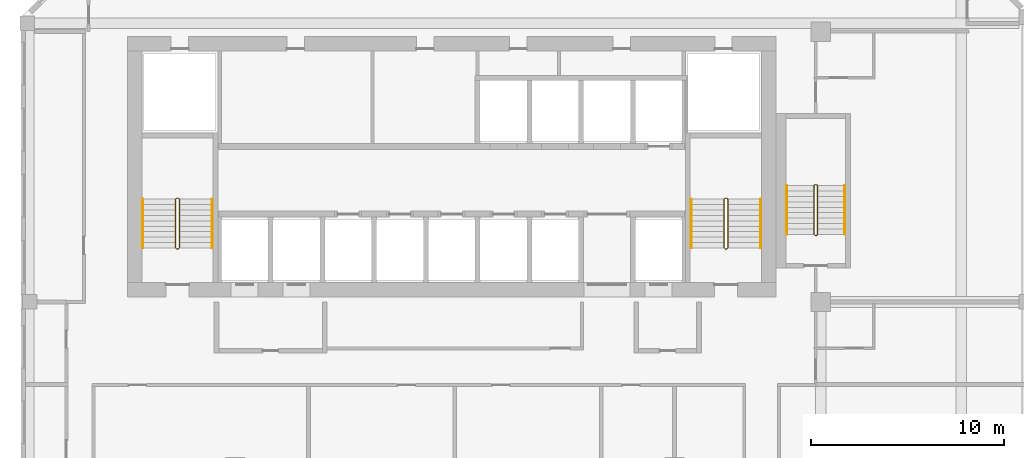
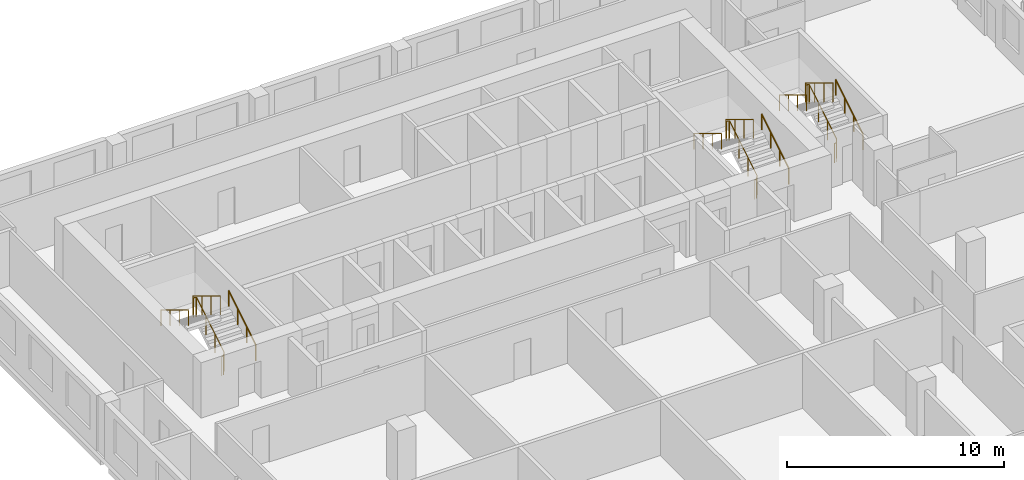
# One storey, part 20 of 21: 9 railings.
"""IFC4 building model written with IfcOpenShell, lengths in metres."""

from ifc_helpers import new_model, si_unit, direction, frame, origin, origin_2d, place, context, subcontext, project, spatial, circle, extrude, material, type_object, element, save


model = new_model("IFC4")

# Units and contexts
model_context = context("Model", 3, precision=1e-05, world=origin(), true_north=direction((0.0, 1.0)))
body_context = subcontext(model_context, "Body", "Model", "MODEL_VIEW")
ifc_project = project(units=[si_unit("LENGTHUNIT", "METRE"), si_unit("AREAUNIT", "SQUARE_METRE"), si_unit("VOLUMEUNIT", "CUBIC_METRE"), si_unit("PLANEANGLEUNIT", "RADIAN"), si_unit("MASSUNIT", "GRAM", prefix="KILO")], contexts=[model_context])

# Site, building, storey
site_placement = place(None, origin())
site = spatial("IfcSite", under=ifc_project, at=site_placement, CompositionType="ELEMENT")
building_placement = place(site_placement, origin())
building = spatial("IfcBuilding", under=site, at=building_placement, Name="Kilnfold Tower and Market Hall", CompositionType="ELEMENT")
storey_placement = place(building_placement, frame((0.0, 0.0, 210.10009765625)))
storey = spatial("IfcBuildingStorey", under=building, at=storey_placement, Name="L51", CompositionType="ELEMENT", Elevation=210.10009765625)

# Railings
ifc_material_1 = material(Name="Stainless steel 316", Category="steel")
railing_type_1 = type_object("IfcRailingType", Name="CORE STAIR GUARD 1100", PredefinedType="GUARDRAIL", material=ifc_material_1)
railing_1_placement = place(storey_placement, frame((-13.199951171875, 10.75, 0.0)))
element("IfcRailing", 1, at=railing_1_placement, inside=storey, type_object=railing_type_1, Name="L51 ST1 stair guard 1", PredefinedType="GUARDRAIL", context=body_context, shape_type="SweptSolid", body=[
    extrude(circle(Radius=0.02392578125, at=origin_2d()), frame((0.0, 0.0, 1.076171875), z_axis=(1.0, 0.0, 0.0), x_axis=(0.0, 1.0, 0.0)), (0.0, 0.0, 1.0), 0.099853515625),
    extrude(circle(Radius=0.02392578125, at=origin_2d()), frame((0.099853515625, 0.0, 1.076171875), z_axis=(0.271895245746, 0.271895245746, 0.923117517265), x_axis=(-0.707106781187, 0.707106781187, 0.0)), (0.0, 0.0, 1.0), 0.18408203125),
    extrude(circle(Radius=0.02392578125, at=origin_2d()), frame((0.14990234375, 0.050048828125, 1.24609375), z_axis=(0.0, 0.85478489116, 0.518982456201), x_axis=(-1.0, 0.0, 0.0)), (0.0, 0.0, 1.0), 2.9482421875),
    extrude(circle(Radius=0.02392578125, at=origin_2d()), frame((0.14990234375, 2.570068359375, 2.77587890625), z_axis=(-0.707106781187, 0.707106781187, 0.0), x_axis=(-0.707106781187, -0.707106781187, 0.0)), (0.0, 0.0, 1.0), 0.07080078125),
    extrude(circle(Radius=0.02392578125, at=origin_2d()), frame((0.099853515625, 2.6201171875, 2.77587890625), z_axis=(-1.0, 0.0, 0.0), x_axis=(0.0, -1.0, 0.0)), (0.0, 0.0, 1.0), 0.099853515625),
    extrude(circle(Radius=0.02392578125, at=origin_2d()), frame((0.0, 2.6201171875, 2.77587890625), z_axis=(-0.271895245746, -0.271895245746, 0.923117517265), x_axis=(0.707106781187, -0.707106781187, 0.0)), (0.0, 0.0, 1.0), 0.18408203125),
    extrude(circle(Radius=0.02392578125, at=origin_2d()), frame((-0.050048828125, 2.570068359375, 2.94580078125), z_axis=(0.0, -0.85478489116, 0.518982456201), x_axis=(1.0, 0.0, 0.0)), (0.0, 0.0, 1.0), 2.9482421875),
    extrude(circle(Radius=0.02099609375, at=origin_2d()), origin(), (0.0, 0.0, 1.0), 1.052001953125),
    extrude(circle(Radius=0.02099609375, at=origin_2d()), frame((0.099853515625, 0.0, 0.0)), (0.0, 0.0, 1.0), 1.052001953125),
    extrude(circle(Radius=0.02099609375, at=origin_2d()), frame((0.14990234375, 0.050048828125, 0.169921875)), (0.0, 0.0, 1.0), 1.052001953125),
    extrude(circle(Radius=0.02099609375, at=origin_2d()), frame((0.14990234375, 0.89013671875, 0.679931640625)), (0.0, 0.0, 1.0), 1.052001953125),
    extrude(circle(Radius=0.02099609375, at=origin_2d()), frame((0.14990234375, 1.72998046875, 1.18994140625)), (0.0, 0.0, 1.0), 1.052001953125),
    extrude(circle(Radius=0.02099609375, at=origin_2d()), frame((0.14990234375, 2.570068359375, 1.699951171875)), (0.0, 0.0, 1.0), 1.052001953125),
    extrude(circle(Radius=0.02099609375, at=origin_2d()), frame((0.099853515625, 2.6201171875, 1.699951171875)), (0.0, 0.0, 1.0), 1.052001953125),
    extrude(circle(Radius=0.02099609375, at=origin_2d()), frame((0.0, 2.6201171875, 1.699951171875)), (0.0, 0.0, 1.0), 1.052001953125),
    extrude(circle(Radius=0.02099609375, at=origin_2d()), frame((-0.050048828125, 2.570068359375, 1.869873046875)), (0.0, 0.0, 1.0), 1.052001953125),
    extrude(circle(Radius=0.02099609375, at=origin_2d()), frame((-0.050048828125, 1.72998046875, 2.3798828125)), (0.0, 0.0, 1.0), 1.052001953125),
    extrude(circle(Radius=0.02099609375, at=origin_2d()), frame((-0.050048828125, 0.89013671875, 2.889892578125)), (0.0, 0.0, 1.0), 1.052001953125),
    extrude(circle(Radius=0.02099609375, at=origin_2d()), frame((-0.050048828125, 0.050048828125, 3.39990234375)), (0.0, 0.0, 1.0), 1.052001953125),
])
railing_2_placement = place(storey_placement, frame((15.199951171875, 10.75, 0.0)))
element("IfcRailing", 2, at=railing_2_placement, inside=storey, type_object=railing_type_1, Name="L51 ST2 stair guard 1", PredefinedType="GUARDRAIL", context=body_context, shape_type="SweptSolid", body=[
    extrude(circle(Radius=0.02392578125, at=origin_2d()), frame((0.0, 0.0, 1.076171875), z_axis=(1.0, 0.0, 0.0), x_axis=(0.0, 1.0, 0.0)), (0.0, 0.0, 1.0), 0.10009765625),
    extrude(circle(Radius=0.02392578125, at=origin_2d()), frame((0.10009765625, 0.0, 1.076171875), z_axis=(0.271895245746, 0.271895245746, 0.923117517265), x_axis=(-0.707106781187, 0.707106781187, 0.0)), (0.0, 0.0, 1.0), 0.18408203125),
    extrude(circle(Radius=0.02392578125, at=origin_2d()), frame((0.150146484375, 0.050048828125, 1.24609375), z_axis=(0.0, 0.85478489116, 0.518982456201), x_axis=(-1.0, 0.0, 0.0)), (0.0, 0.0, 1.0), 2.9482421875),
    extrude(circle(Radius=0.02392578125, at=origin_2d()), frame((0.150146484375, 2.570068359375, 2.77587890625), z_axis=(-0.707106781187, 0.707106781187, 0.0), x_axis=(-0.707106781187, -0.707106781187, 0.0)), (0.0, 0.0, 1.0), 0.07080078125),
    extrude(circle(Radius=0.02392578125, at=origin_2d()), frame((0.10009765625, 2.6201171875, 2.77587890625), z_axis=(-1.0, 0.0, 0.0), x_axis=(0.0, -1.0, 0.0)), (0.0, 0.0, 1.0), 0.10009765625),
    extrude(circle(Radius=0.02392578125, at=origin_2d()), frame((0.0, 2.6201171875, 2.77587890625), z_axis=(-0.271895245746, -0.271895245746, 0.923117517265), x_axis=(0.707106781187, -0.707106781187, 0.0)), (0.0, 0.0, 1.0), 0.18408203125),
    extrude(circle(Radius=0.02392578125, at=origin_2d()), frame((-0.050048828125, 2.570068359375, 2.94580078125), z_axis=(0.0, -0.85478489116, 0.518982456201), x_axis=(1.0, 0.0, 0.0)), (0.0, 0.0, 1.0), 2.9482421875),
    extrude(circle(Radius=0.02099609375, at=origin_2d()), origin(), (0.0, 0.0, 1.0), 1.052001953125),
    extrude(circle(Radius=0.02099609375, at=origin_2d()), frame((0.10009765625, 0.0, 0.0)), (0.0, 0.0, 1.0), 1.052001953125),
    extrude(circle(Radius=0.02099609375, at=origin_2d()), frame((0.150146484375, 0.050048828125, 0.169921875)), (0.0, 0.0, 1.0), 1.052001953125),
    extrude(circle(Radius=0.02099609375, at=origin_2d()), frame((0.150146484375, 0.89013671875, 0.679931640625)), (0.0, 0.0, 1.0), 1.052001953125),
    extrude(circle(Radius=0.02099609375, at=origin_2d()), frame((0.150146484375, 1.72998046875, 1.18994140625)), (0.0, 0.0, 1.0), 1.052001953125),
    extrude(circle(Radius=0.02099609375, at=origin_2d()), frame((0.150146484375, 2.570068359375, 1.699951171875)), (0.0, 0.0, 1.0), 1.052001953125),
    extrude(circle(Radius=0.02099609375, at=origin_2d()), frame((0.10009765625, 2.6201171875, 1.699951171875)), (0.0, 0.0, 1.0), 1.052001953125),
    extrude(circle(Radius=0.02099609375, at=origin_2d()), frame((0.0, 2.6201171875, 1.699951171875)), (0.0, 0.0, 1.0), 1.052001953125),
    extrude(circle(Radius=0.02099609375, at=origin_2d()), frame((-0.050048828125, 2.570068359375, 1.869873046875)), (0.0, 0.0, 1.0), 1.052001953125),
    extrude(circle(Radius=0.02099609375, at=origin_2d()), frame((-0.050048828125, 1.72998046875, 2.3798828125)), (0.0, 0.0, 1.0), 1.052001953125),
    extrude(circle(Radius=0.02099609375, at=origin_2d()), frame((-0.050048828125, 0.89013671875, 2.889892578125)), (0.0, 0.0, 1.0), 1.052001953125),
    extrude(circle(Radius=0.02099609375, at=origin_2d()), frame((-0.050048828125, 0.050048828125, 3.39990234375)), (0.0, 0.0, 1.0), 1.052001953125),
])
railing_3_placement = place(storey_placement, frame((19.85009765625, 11.449951171875, 0.0)))
element("IfcRailing", 3, at=railing_3_placement, inside=storey, type_object=railing_type_1, Name="L51 ST5 stair guard 1", PredefinedType="GUARDRAIL", context=body_context, shape_type="SweptSolid", body=[
    extrude(circle(Radius=0.02392578125, at=origin_2d()), frame((0.0, 0.0, 1.076171875), z_axis=(1.0, 0.0, 0.0), x_axis=(0.0, 1.0, 0.0)), (0.0, 0.0, 1.0), 0.099853515625),
    extrude(circle(Radius=0.02392578125, at=origin_2d()), frame((0.099853515625, 0.0, 1.076171875), z_axis=(0.271895245746, 0.271895245746, 0.923117517265), x_axis=(-0.707106781187, 0.707106781187, 0.0)), (0.0, 0.0, 1.0), 0.18408203125),
    extrude(circle(Radius=0.02392578125, at=origin_2d()), frame((0.14990234375, 0.050048828125, 1.24609375), z_axis=(0.0, 0.85478489116, 0.518982456201), x_axis=(-1.0, 0.0, 0.0)), (0.0, 0.0, 1.0), 2.9482421875),
    extrude(circle(Radius=0.02392578125, at=origin_2d()), frame((0.14990234375, 2.570068359375, 2.77587890625), z_axis=(-0.707106781187, 0.707106781187, 0.0), x_axis=(-0.707106781187, -0.707106781187, 0.0)), (0.0, 0.0, 1.0), 0.07080078125),
    extrude(circle(Radius=0.02392578125, at=origin_2d()), frame((0.099853515625, 2.6201171875, 2.77587890625), z_axis=(-1.0, 0.0, 0.0), x_axis=(0.0, -1.0, 0.0)), (0.0, 0.0, 1.0), 0.099853515625),
    extrude(circle(Radius=0.02392578125, at=origin_2d()), frame((0.0, 2.6201171875, 2.77587890625), z_axis=(-0.271895245746, -0.271895245746, 0.923117517265), x_axis=(0.707106781187, -0.707106781187, 0.0)), (0.0, 0.0, 1.0), 0.18408203125),
    extrude(circle(Radius=0.02392578125, at=origin_2d()), frame((-0.050048828125, 2.570068359375, 2.94580078125), z_axis=(0.0, -0.85478489116, 0.518982456201), x_axis=(1.0, 0.0, 0.0)), (0.0, 0.0, 1.0), 2.9482421875),
    extrude(circle(Radius=0.02099609375, at=origin_2d()), origin(), (0.0, 0.0, 1.0), 1.052001953125),
    extrude(circle(Radius=0.02099609375, at=origin_2d()), frame((0.099853515625, 0.0, 0.0)), (0.0, 0.0, 1.0), 1.052001953125),
    extrude(circle(Radius=0.02099609375, at=origin_2d()), frame((0.14990234375, 0.050048828125, 0.169921875)), (0.0, 0.0, 1.0), 1.052001953125),
    extrude(circle(Radius=0.02099609375, at=origin_2d()), frame((0.14990234375, 0.89013671875, 0.679931640625)), (0.0, 0.0, 1.0), 1.052001953125),
    extrude(circle(Radius=0.02099609375, at=origin_2d()), frame((0.14990234375, 1.72998046875, 1.18994140625)), (0.0, 0.0, 1.0), 1.052001953125),
    extrude(circle(Radius=0.02099609375, at=origin_2d()), frame((0.14990234375, 2.570068359375, 1.699951171875)), (0.0, 0.0, 1.0), 1.052001953125),
    extrude(circle(Radius=0.02099609375, at=origin_2d()), frame((0.099853515625, 2.6201171875, 1.699951171875)), (0.0, 0.0, 1.0), 1.052001953125),
    extrude(circle(Radius=0.02099609375, at=origin_2d()), frame((0.0, 2.6201171875, 1.699951171875)), (0.0, 0.0, 1.0), 1.052001953125),
    extrude(circle(Radius=0.02099609375, at=origin_2d()), frame((-0.050048828125, 2.570068359375, 1.869873046875)), (0.0, 0.0, 1.0), 1.052001953125),
    extrude(circle(Radius=0.02099609375, at=origin_2d()), frame((-0.050048828125, 1.72998046875, 2.3798828125)), (0.0, 0.0, 1.0), 1.052001953125),
    extrude(circle(Radius=0.02099609375, at=origin_2d()), frame((-0.050048828125, 0.89013671875, 2.889892578125)), (0.0, 0.0, 1.0), 1.052001953125),
    extrude(circle(Radius=0.02099609375, at=origin_2d()), frame((-0.050048828125, 0.050048828125, 3.39990234375)), (0.0, 0.0, 1.0), 1.052001953125),
])
ifc_material_2 = material(Name="Stainless steel 316", Category="steel")
railing_type_2 = type_object("IfcRailingType", Name="CORE STAIR HANDRAIL 900", PredefinedType="HANDRAIL", material=ifc_material_2)
railing_4_placement = place(storey_placement, frame((-11.35009765625, 10.800048828125, 0.169921875)))
element("IfcRailing", 4, at=railing_4_placement, inside=storey, type_object=railing_type_2, Name="L51 ST1 stair handrail 1", PredefinedType="HANDRAIL", context=body_context, shape_type="SweptSolid", body=[
    extrude(circle(Radius=0.02392578125, at=origin_2d()), frame((0.0, 0.0, 0.8759765625), z_axis=(0.0, 0.85478489116, 0.518982456201), x_axis=(-1.0, 0.0, 0.0)), (0.0, 0.0, 1.0), 2.9482421875),
    extrude(circle(Radius=0.02099609375, at=origin_2d()), origin(), (0.0, 0.0, 1.0), 0.851806640625),
    extrude(circle(Radius=0.02099609375, at=origin_2d()), frame((0.0, 0.840087890625, 0.510009765625)), (0.0, 0.0, 1.0), 0.851806640625),
    extrude(circle(Radius=0.02099609375, at=origin_2d()), frame((0.0, 1.679931640625, 1.02001953125)), (0.0, 0.0, 1.0), 0.851806640625),
    extrude(circle(Radius=0.02099609375, at=origin_2d()), frame((0.0, 2.52001953125, 1.530029296875)), (0.0, 0.0, 1.0), 0.851806640625),
])
railing_5_placement = place(storey_placement, frame((-14.949951171875, 13.320068359375, 1.869873046875)))
element("IfcRailing", 5, at=railing_5_placement, inside=storey, type_object=railing_type_2, Name="L51 ST1 stair handrail 2", PredefinedType="HANDRAIL", context=body_context, shape_type="SweptSolid", body=[
    extrude(circle(Radius=0.02392578125, at=origin_2d()), frame((0.0, 0.0, 0.8759765625), z_axis=(0.0, -0.85478489116, 0.518982456201), x_axis=(1.0, 0.0, 0.0)), (0.0, 0.0, 1.0), 2.9482421875),
    extrude(circle(Radius=0.02099609375, at=origin_2d()), origin(), (0.0, 0.0, 1.0), 0.851806640625),
    extrude(circle(Radius=0.02099609375, at=origin_2d()), frame((0.0, -0.840087890625, 0.510009765625)), (0.0, 0.0, 1.0), 0.851806640625),
    extrude(circle(Radius=0.02099609375, at=origin_2d()), frame((0.0, -1.679931640625, 1.02001953125)), (0.0, 0.0, 1.0), 0.851806640625),
    extrude(circle(Radius=0.02099609375, at=origin_2d()), frame((0.0, -2.52001953125, 1.530029296875)), (0.0, 0.0, 1.0), 0.851806640625),
])
railing_6_placement = place(storey_placement, frame((17.050048828125, 10.800048828125, 0.169921875)))
element("IfcRailing", 6, at=railing_6_placement, inside=storey, type_object=railing_type_2, Name="L51 ST2 stair handrail 1", PredefinedType="HANDRAIL", context=body_context, shape_type="SweptSolid", body=[
    extrude(circle(Radius=0.02392578125, at=origin_2d()), frame((0.0, 0.0, 0.8759765625), z_axis=(0.0, 0.85478489116, 0.518982456201), x_axis=(-1.0, 0.0, 0.0)), (0.0, 0.0, 1.0), 2.9482421875),
    extrude(circle(Radius=0.02099609375, at=origin_2d()), origin(), (0.0, 0.0, 1.0), 0.851806640625),
    extrude(circle(Radius=0.02099609375, at=origin_2d()), frame((0.0, 0.840087890625, 0.510009765625)), (0.0, 0.0, 1.0), 0.851806640625),
    extrude(circle(Radius=0.02099609375, at=origin_2d()), frame((0.0, 1.679931640625, 1.02001953125)), (0.0, 0.0, 1.0), 0.851806640625),
    extrude(circle(Radius=0.02099609375, at=origin_2d()), frame((0.0, 2.52001953125, 1.530029296875)), (0.0, 0.0, 1.0), 0.851806640625),
])
railing_7_placement = place(storey_placement, frame((13.449951171875, 13.320068359375, 1.869873046875)))
element("IfcRailing", 7, at=railing_7_placement, inside=storey, type_object=railing_type_2, Name="L51 ST2 stair handrail 2", PredefinedType="HANDRAIL", context=body_context, shape_type="SweptSolid", body=[
    extrude(circle(Radius=0.02392578125, at=origin_2d()), frame((0.0, 0.0, 0.8759765625), z_axis=(0.0, -0.85478489116, 0.518982456201), x_axis=(1.0, 0.0, 0.0)), (0.0, 0.0, 1.0), 2.9482421875),
    extrude(circle(Radius=0.02099609375, at=origin_2d()), origin(), (0.0, 0.0, 1.0), 0.851806640625),
    extrude(circle(Radius=0.02099609375, at=origin_2d()), frame((0.0, -0.840087890625, 0.510009765625)), (0.0, 0.0, 1.0), 0.851806640625),
    extrude(circle(Radius=0.02099609375, at=origin_2d()), frame((0.0, -1.679931640625, 1.02001953125)), (0.0, 0.0, 1.0), 0.851806640625),
    extrude(circle(Radius=0.02099609375, at=origin_2d()), frame((0.0, -2.52001953125, 1.530029296875)), (0.0, 0.0, 1.0), 0.851806640625),
])
railing_8_placement = place(storey_placement, frame((21.39990234375, 11.5, 0.169921875)))
element("IfcRailing", 8, at=railing_8_placement, inside=storey, type_object=railing_type_2, Name="L51 ST5 stair handrail 1", PredefinedType="HANDRAIL", context=body_context, shape_type="SweptSolid", body=[
    extrude(circle(Radius=0.02392578125, at=origin_2d()), frame((0.0, 0.0, 0.8759765625), z_axis=(0.0, 0.85478489116, 0.518982456201), x_axis=(-1.0, 0.0, 0.0)), (0.0, 0.0, 1.0), 2.9482421875),
    extrude(circle(Radius=0.02099609375, at=origin_2d()), origin(), (0.0, 0.0, 1.0), 0.851806640625),
    extrude(circle(Radius=0.02099609375, at=origin_2d()), frame((0.0, 0.840087890625, 0.510009765625)), (0.0, 0.0, 1.0), 0.851806640625),
    extrude(circle(Radius=0.02099609375, at=origin_2d()), frame((0.0, 1.679931640625, 1.02001953125)), (0.0, 0.0, 1.0), 0.851806640625),
    extrude(circle(Radius=0.02099609375, at=origin_2d()), frame((0.0, 2.52001953125, 1.530029296875)), (0.0, 0.0, 1.0), 0.851806640625),
])
railing_9_placement = place(storey_placement, frame((18.39990234375, 14.02001953125, 1.869873046875)))
element("IfcRailing", 9, at=railing_9_placement, inside=storey, type_object=railing_type_2, Name="L51 ST5 stair handrail 2", PredefinedType="HANDRAIL", context=body_context, shape_type="SweptSolid", body=[
    extrude(circle(Radius=0.02392578125, at=origin_2d()), frame((0.0, 0.0, 0.8759765625), z_axis=(0.0, -0.85478489116, 0.518982456201), x_axis=(1.0, 0.0, 0.0)), (0.0, 0.0, 1.0), 2.9482421875),
    extrude(circle(Radius=0.02099609375, at=origin_2d()), origin(), (0.0, 0.0, 1.0), 0.851806640625),
    extrude(circle(Radius=0.02099609375, at=origin_2d()), frame((0.0, -0.840087890625, 0.510009765625)), (0.0, 0.0, 1.0), 0.851806640625),
    extrude(circle(Radius=0.02099609375, at=origin_2d()), frame((0.0, -1.679931640625, 1.02001953125)), (0.0, 0.0, 1.0), 0.851806640625),
    extrude(circle(Radius=0.02099609375, at=origin_2d()), frame((0.0, -2.52001953125, 1.530029296875)), (0.0, 0.0, 1.0), 0.851806640625),
])

save(model, "model.ifc")
